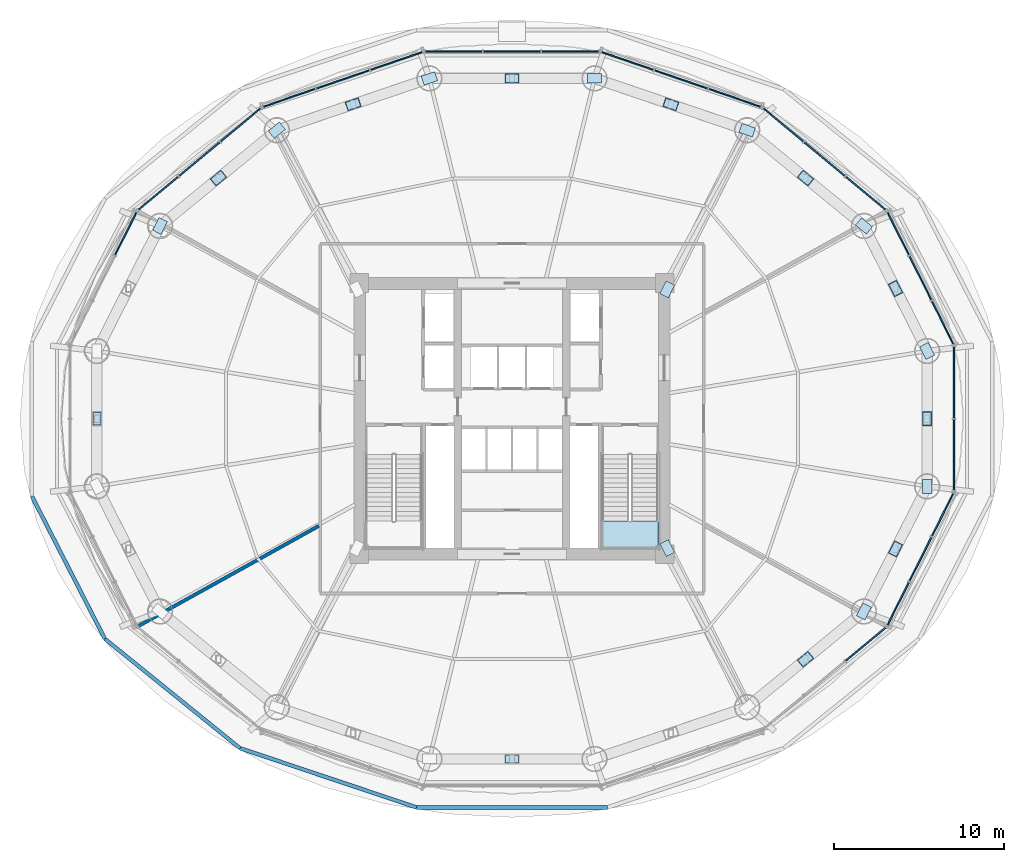
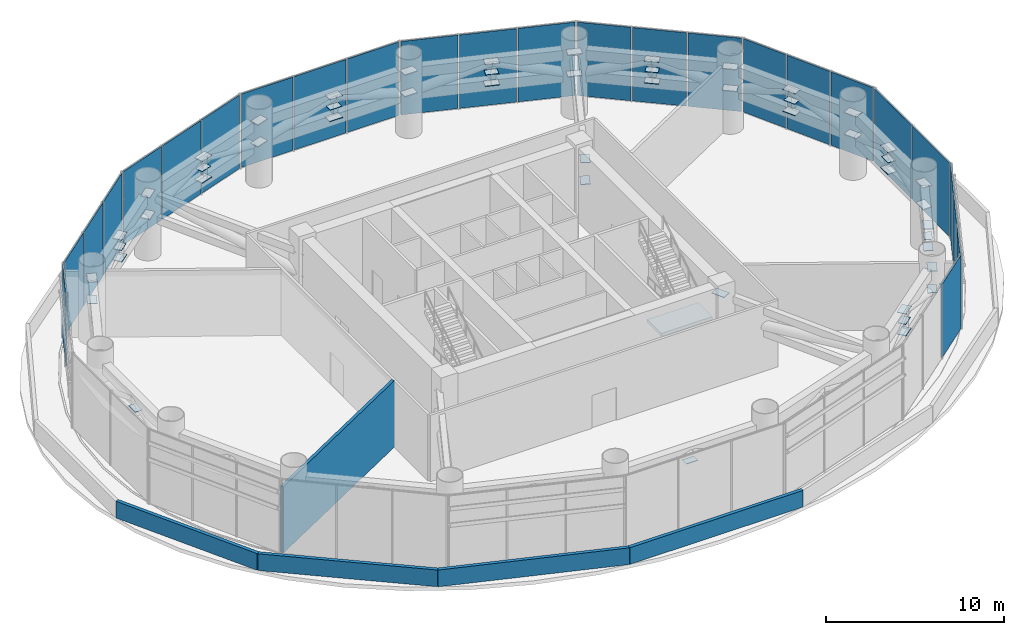
# One storey, part 27 of 33: 75 plates, 5 walls, 1 slab, 11 elements without a shape of their own.
"""IFC4 building model written with IfcOpenShell, lengths in metres."""

from ifc_helpers import new_model, si_unit, direction, frame, frame_2d, origin, origin_2d, place, context, subcontext, project, spatial, polyline, rectangle, outline, extrude, source, transform, mapped, material, layer, layer_set, type_object, element, aggregate, save


model = new_model("IFC4")

# Units and contexts
model_context = context("Model", 3, precision=1e-05, world=origin(), true_north=direction((-0.2419218956, 0.970295726276)))
body_context = subcontext(model_context, "Body", "Model", "MODEL_VIEW")
ifc_project = project(units=[si_unit("LENGTHUNIT", "METRE"), si_unit("AREAUNIT", "SQUARE_METRE"), si_unit("VOLUMEUNIT", "CUBIC_METRE"), si_unit("PLANEANGLEUNIT", "RADIAN"), si_unit("MASSUNIT", "GRAM", prefix="KILO")], contexts=[model_context])

# Site, building, storey
site_placement = place(None, origin())
site = spatial("IfcSite", under=ifc_project, at=site_placement, CompositionType="ELEMENT")
building_placement = place(site_placement, origin())
building = spatial("IfcBuilding", under=site, at=building_placement, Name="Cobrevalo Terracotta Tower", CompositionType="ELEMENT")
storey_placement = place(building_placement, frame((0.0, 0.0, 74.39990234375)))
storey = spatial("IfcBuildingStorey", under=building, at=storey_placement, Name="L19", CompositionType="ELEMENT", Elevation=74.39990234375)

# Stair, slab
ifc_material_1 = material(Name="Concrete C50", Category="concrete")
stair_type = type_object("IfcStairType", Name="Core protected escape dogleg stair 1600", PredefinedType="HALF_TURN_STAIR", material=ifc_material_1)
stair_placement = place(storey_placement, origin())
stair = element("IfcStair", 1, at=stair_placement, inside=storey, type_object=stair_type, Name="L19 Protected exit stair ST-2", PredefinedType="HALF_TURN_STAIR")
ifc_layer_1 = layer(ifc_material_1, 0.199951171875)
ifc_layer_set_1 = layer_set([ifc_layer_1], Name="Concrete C50")
slab_type = type_object("IfcSlabType", Name="Reinforced Concrete Stair Landing 200", PredefinedType="LANDING", material=ifc_layer_set_1)
slab_placement = place(storey_placement, frame((0.0, 0.0, 2.5)))
slab = element("IfcSlab", 2, at=slab_placement, type_object=slab_type, Name="ST-2 landing 1", PredefinedType="LANDING", context=body_context, shape_type="SweptSolid", body=[
    extrude(outline(polyline([(43.304931640625, 20.780029296875), (43.304931640625, 19.175048828125), (46.625, 19.175048828125), (46.625, 20.780029296875), (43.304931640625, 20.780029296875)])), origin(), (0.0, 0.0, 1.0), 0.2001953125),
])
aggregate(stair, [slab])

# Plates
ifc_material_2 = material(Name="Steel S355", Category="steel")
ifc_layer_2 = layer(ifc_material_2, 0.035888671875)
ifc_layer_set_2 = layer_set([ifc_layer_2], Name="Steel S355")
plate_type_1 = type_object("IfcPlateType", Name="Structural Cap Plate 840x560x36 (Steel S355)", PredefinedType="USERDEFINED", material=ifc_layer_set_2)
shared_shape_1 = source(origin(), body_context, "Body", "SweptSolid", [
    extrude(rectangle(XDim=0.840087890625, YDim=0.56005859375, at=origin_2d()), origin(), (0.0, 0.0, 1.0), 0.035888671875),
])
for number, where, z_axis, x_axis, name in (
    (3, (62.470703125, 30.78955078125, 2.63232421875), (0.0, 0.0, 1.0), (-0.45103643487, 0.892505537473, 0.0), "L19 hollow end cap plate CAP-BT-L19-01-B0"),
    (4, (62.470703125, 30.78955078125, 4.126953125), (0.0, 0.0, 1.0), (-0.45103643487, 0.892505537473, 0.0), "L19 hollow end cap plate CAP-BT-L19-01-T0"),
    (5, (60.60791015625, 34.4755859375, 2.63232421875), (0.0, 0.0, 1.0), (-0.45103643487, 0.892505537473, 0.0), "L19 hollow end cap plate CAP-BT-L19-01-BM"),
    (6, (60.60791015625, 34.4755859375, 4.126953125), (0.0, 0.0, 1.0), (-0.45103643487, 0.892505537473, 0.0), "L19 hollow end cap plate CAP-BT-L19-01-TM"),
    (7, (58.7451171875, 38.161376953125, 2.63232421875), (0.0, 0.0, 1.0), (-0.773404476279, 0.633912861576, 0.0), "L19 hollow end cap plate CAP-BT-L19-02-B0"),
    (8, (58.7451171875, 38.161376953125, 4.126953125), (0.0, 0.0, 1.0), (-0.773404476279, 0.633912861576, 0.0), "L19 hollow end cap plate CAP-BT-L19-02-T0"),
    (9, (55.30322265625, 40.982421875, 2.63232421875), (0.0, 0.0, 1.0), (-0.773404476279, 0.633912861576, 0.0), "L19 hollow end cap plate CAP-BT-L19-02-BM"),
    (10, (55.30322265625, 40.982421875, 4.126953125), (0.0, 0.0, 1.0), (-0.773404476279, 0.633912861576, 0.0), "L19 hollow end cap plate CAP-BT-L19-02-TM"),
    (11, (51.861572265625, 43.803466796875, 2.63232421875), (0.0, 0.0, 1.0), (-0.94691554206, 0.321482435298, 0.0), "L19 hollow end cap plate CAP-BT-L19-03-B0"),
    (12, (51.861572265625, 43.803466796875, 4.126953125), (0.0, 0.0, 1.0), (-0.94691554206, 0.321482435298, 0.0), "L19 hollow end cap plate CAP-BT-L19-03-T0"),
    (13, (47.364501953125, 45.330322265625, 2.63232421875), (0.0, 0.0, 1.0), (-0.94691554206, 0.321482435298, 0.0), "L19 hollow end cap plate CAP-BT-L19-03-BM"),
    (14, (47.364501953125, 45.330322265625, 4.126953125), (0.0, 0.0, 1.0), (-0.94691554206, 0.321482435298, 0.0), "L19 hollow end cap plate CAP-BT-L19-03-TM"),
    (15, (42.867431640625, 46.857177734375, 2.63232421875), (0.0, 0.0, 1.0), (-1.0, 0.0, 0.0), "L19 hollow end cap plate CAP-BT-L19-04-B0"),
    (16, (42.867431640625, 46.857177734375, 4.126953125), (0.0, 0.0, 1.0), (-1.0, 0.0, 0.0), "L19 hollow end cap plate CAP-BT-L19-04-T0"),
    (17, (38.0, 46.857177734375, 2.63232421875), (0.0, 0.0, 1.0), (-1.0, 0.0, 0.0), "L19 hollow end cap plate CAP-BT-L19-04-BM"),
    (18, (38.0, 46.857177734375, 4.126953125), (0.0, 0.0, 1.0), (-1.0, 0.0, 0.0), "L19 hollow end cap plate CAP-BT-L19-04-TM"),
    (19, (33.132568359375, 46.857177734375, 2.63232421875), (0.0, 0.0, 1.0), (-0.94691554206, -0.321482435298, 0.0), "L19 hollow end cap plate CAP-BT-L19-05-B0"),
    (20, (33.132568359375, 46.857177734375, 4.126953125), (0.0, 0.0, 1.0), (-0.94691554206, -0.321482435298, 0.0), "L19 hollow end cap plate CAP-BT-L19-05-T0"),
    (21, (28.635498046875, 45.330322265625, 2.63232421875), (0.0, 0.0, 1.0), (-0.94691554206, -0.321482435298, 0.0), "L19 hollow end cap plate CAP-BT-L19-05-BM"),
    (22, (28.635498046875, 45.330322265625, 4.126953125), (0.0, 0.0, 1.0), (-0.94691554206, -0.321482435298, 0.0), "L19 hollow end cap plate CAP-BT-L19-05-TM"),
    (23, (24.138427734375, 43.803466796875, 2.63232421875), (0.0, 0.0, 1.0), (-0.773404476279, -0.633912861576, 0.0), "L19 hollow end cap plate CAP-BT-L19-06-B0"),
    (24, (24.138427734375, 43.803466796875, 4.126953125), (0.0, 0.0, 1.0), (-0.773404476279, -0.633912861576, 0.0), "L19 hollow end cap plate CAP-BT-L19-06-T0"),
    (25, (20.69677734375, 40.982421875, 2.63232421875), (0.0, 0.0, 1.0), (-0.773404476279, -0.633912861576, 0.0), "L19 hollow end cap plate CAP-BT-L19-06-BM"),
    (26, (20.69677734375, 40.982421875, 4.126953125), (0.0, 0.0, 1.0), (-0.773404476279, -0.633912861576, 0.0), "L19 hollow end cap plate CAP-BT-L19-06-TM"),
    (27, (17.2548828125, 38.161376953125, 2.63232421875), (0.0, 0.0, 1.0), (-0.45103643487, -0.892505537473, 0.0), "L19 hollow end cap plate CAP-BT-L19-07-B0"),
    (28, (17.2548828125, 38.161376953125, 4.126953125), (0.0, 0.0, 1.0), (-0.45103643487, -0.892505537473, 0.0), "L19 hollow end cap plate CAP-BT-L19-07-T0"),
    (29, (55.30322265625, 12.617431640625, 2.63232421875), (0.0, 0.0, 1.0), (0.773404476279, 0.633912861576, 0.0), "L19 hollow end cap plate CAP-BT-L19-14-BM"),
    (30, (55.30322265625, 12.617431640625, 4.126953125), (0.0, 0.0, 1.0), (0.773404476279, 0.633912861576, 0.0), "L19 hollow end cap plate CAP-BT-L19-14-TM"),
    (31, (58.7451171875, 15.4384765625, 2.63232421875), (0.0, 0.0, 1.0), (0.45103643487, 0.892505537473, 0.0), "L19 hollow end cap plate CAP-BT-L19-15-B0"),
    (32, (58.7451171875, 15.4384765625, 4.126953125), (0.0, 0.0, 1.0), (0.45103643487, 0.892505537473, 0.0), "L19 hollow end cap plate CAP-BT-L19-15-T0"),
    (33, (60.60791015625, 19.12451171875, 2.63232421875), (0.0, 0.0, 1.0), (0.45103643487, 0.892505537473, 0.0), "L19 hollow end cap plate CAP-BT-L19-15-BM"),
    (34, (60.60791015625, 19.12451171875, 4.126953125), (0.0, 0.0, 1.0), (0.45103643487, 0.892505537473, 0.0), "L19 hollow end cap plate CAP-BT-L19-15-TM"),
    (35, (62.470703125, 22.810302734375, 2.63232421875), (0.0, 0.0, 1.0), (0.0, 1.0, 0.0), "L19 hollow end cap plate CAP-BT-L19-16-B0"),
    (36, (62.470703125, 22.810302734375, 4.126953125), (0.0, 0.0, 1.0), (0.0, 1.0, 0.0), "L19 hollow end cap plate CAP-BT-L19-16-T0"),
    (37, (62.470703125, 26.800048828125, 2.63232421875), (0.0, 0.0, 1.0), (0.0, 1.0, 0.0), "L19 hollow end cap plate CAP-BT-L19-16-BM"),
    (38, (62.470703125, 26.800048828125, 4.126953125), (0.0, 0.0, 1.0), (0.0, 1.0, 0.0), "L19 hollow end cap plate CAP-BT-L19-16-TM"),
    (39, (47.14990234375, 34.425048828125, 2.63232421875), (0.0, 0.0, 1.0), (0.448904195769, 0.893579891795, 0.0), "L19 hollow end cap plate CAP-OR-L19-1-CB"),
    (40, (47.14990234375, 34.425048828125, 4.126953125), (0.0, 0.0, 1.0), (0.448904195769, 0.893579891795, 0.0), "L19 hollow end cap plate CAP-OR-L19-1-CT"),
    (41, (47.14990234375, 19.175048828125, 4.126953125), (0.0, 0.0, 1.0), (0.448904195769, -0.893579891795, 0.0), "L19 hollow end cap plate CAP-OR-L19-4-CT"),
):
    element("IfcPlate", number, at=place(storey_placement, frame(where, z_axis=z_axis, x_axis=x_axis)), inside=storey, type_object=plate_type_1, Name=name, ObjectType="CAP PLATE", PredefinedType="USERDEFINED", context=body_context, shape_type="MappedRepresentation", body=[
        mapped(shared_shape_1, transform((0.0, 0.0, 0.0), scale=1.0)),
    ])
ifc_layer_3 = layer(ifc_material_2, 0.031982421875)
ifc_layer_set_3 = layer_set([ifc_layer_3], Name="Steel S355")
plate_type_2 = type_object("IfcPlateType", Name="Structural Gusset Plate 750x480x32 (Steel S355)", PredefinedType="SHEET", material=ifc_layer_set_3)
shared_shape_2 = source(origin(), body_context, "Body", "SweptSolid", [
    extrude(rectangle(XDim=0.75, YDim=0.47998046875, at=origin_2d()), origin(), (0.0, 0.0, 1.0), 0.031982421875),
])
for number, where, z_axis, x_axis, name in (
    (42, (60.60791015625, 34.4755859375, 3.3818359375), (0.0, 0.0, 1.0), (-0.45103643487, 0.892505537473, 0.0), "L19 hollow end cap plate GUS-BT-L19-01"),
    (43, (55.30322265625, 40.982421875, 3.3818359375), (0.0, 0.0, 1.0), (-0.773404476279, 0.633912861576, 0.0), "L19 hollow end cap plate GUS-BT-L19-02"),
    (44, (47.364501953125, 45.330322265625, 3.3818359375), (0.0, 0.0, 1.0), (-0.94691554206, 0.321482435298, 0.0), "L19 hollow end cap plate GUS-BT-L19-03"),
    (45, (38.0, 46.857177734375, 3.3818359375), (0.0, 0.0, 1.0), (-1.0, 0.0, 0.0), "L19 hollow end cap plate GUS-BT-L19-04"),
    (46, (28.635498046875, 45.330322265625, 3.3818359375), (0.0, 0.0, 1.0), (-0.94691554206, -0.321482435298, 0.0), "L19 hollow end cap plate GUS-BT-L19-05"),
    (47, (20.69677734375, 40.982421875, 3.3818359375), (0.0, 0.0, 1.0), (-0.773404476279, -0.633912861576, 0.0), "L19 hollow end cap plate GUS-BT-L19-06"),
    (48, (13.529296875, 26.800048828125, 3.3818359375), (0.0, 0.0, 1.0), (0.0, -1.0, 0.0), "L19 hollow end cap plate GUS-BT-L19-08"),
    (49, (38.0, 6.742919921875, 3.3818359375), (0.0, 0.0, 1.0), (1.0, 0.0, 0.0), "L19 hollow end cap plate GUS-BT-L19-12"),
    (50, (55.30322265625, 12.617431640625, 3.3818359375), (0.0, 0.0, 1.0), (0.773404476279, 0.633912861576, 0.0), "L19 hollow end cap plate GUS-BT-L19-14"),
    (51, (60.60791015625, 19.12451171875, 3.3818359375), (0.0, 0.0, 1.0), (0.45103643487, 0.892505537473, 0.0), "L19 hollow end cap plate GUS-BT-L19-15"),
    (52, (62.470703125, 26.800048828125, 3.3818359375), (0.0, 0.0, 1.0), (0.0, 1.0, 0.0), "L19 hollow end cap plate GUS-BT-L19-16"),
):
    element("IfcPlate", number, at=place(storey_placement, frame(where, z_axis=z_axis, x_axis=x_axis)), inside=storey, type_object=plate_type_2, Name=name, PredefinedType="SHEET", context=body_context, shape_type="MappedRepresentation", body=[
        mapped(shared_shape_2, transform((0.0, 0.0, 0.0), scale=1.0)),
    ])

# Curtain wall, plates
ifc_material_3 = material(Name="Anodized aluminium", Category="aluminium")
curtain_wall_type = type_object("IfcCurtainWallType", Name="Belt-truss plant acoustic weather-louvre curtain wall CW-LV", PredefinedType="NOTDEFINED", material=ifc_material_3)
curtain_wall_1_placement = place(storey_placement, origin())
curtain_wall_1 = element("IfcCurtainWall", 53, at=curtain_wall_1_placement, inside=storey, type_object=curtain_wall_type, Name="L19 curtain wall CW-LV-L19-S01", PredefinedType="NOTDEFINED")
ifc_material_4 = material(Name="Anodized aluminium weather louvre", Category="aluminium")
ifc_layer_4 = layer(ifc_material_4, 0.0849609375)
ifc_layer_set_4 = layer_set([ifc_layer_4], Name="Anodized aluminium weather louvre")
plate_type_3 = type_object("IfcPlateType", Name="Plant room acoustic weather-louvre cassette 85 mm", PredefinedType="USERDEFINED", material=ifc_layer_set_4)
shared_shape_3 = source(origin(), body_context, "Body", "SweptSolid", [
    extrude(rectangle(XDim=2.843505859375, YDim=0.0849609375, at=origin_2d()), origin(), (0.0, 0.0, 1.0), 5.044921875),
])
plate_1_placement = place(storey_placement, frame((63.389404296875, 32.449462890625, 0.0400390625), z_axis=(0.0, 0.0, 1.0), x_axis=(-0.446261852127, 0.894902430065, 0.0)))
plate_1 = element("IfcPlate", 54, at=plate_1_placement, type_object=plate_type_3, Name="CW-LV-L19-S01 acoustic louvre panel B01", ObjectType="LOUVRE_PANEL", PredefinedType="USERDEFINED", context=body_context, shape_type="MappedRepresentation", body=[
    mapped(shared_shape_3, transform((0.0, 0.0, 0.0), scale=1.0)),
])
plate_2_placement = place(storey_placement, frame((60.76220703125, 37.717529296875, 0.0400390625), z_axis=(0.0, 0.0, 1.0), x_axis=(-0.446261852127, 0.894902430065, 0.0)))
plate_2 = element("IfcPlate", 55, at=plate_2_placement, type_object=plate_type_3, Name="CW-LV-L19-S01 acoustic louvre panel B03", ObjectType="LOUVRE_PANEL", PredefinedType="USERDEFINED", context=body_context, shape_type="MappedRepresentation", body=[
    mapped(shared_shape_3, transform((0.0, 0.0, 0.0), scale=1.0)),
])

# Curtain wall, plate
curtain_wall_2_placement = place(storey_placement, origin())
curtain_wall_2 = element("IfcCurtainWall", 56, at=curtain_wall_2_placement, inside=storey, type_object=curtain_wall_type, Name="L19 curtain wall CW-LV-L19-S07", PredefinedType="NOTDEFINED")
plate_3_placement = place(storey_placement, frame((15.23779296875, 37.717529296875, 0.0400390625), z_axis=(0.0, 0.0, 1.0), x_axis=(-0.446261852127, -0.894902430065, 0.0)))
plate_3 = element("IfcPlate", 57, at=plate_3_placement, type_object=plate_type_3, Name="CW-LV-L19-S07 acoustic louvre panel B01", ObjectType="LOUVRE_PANEL", PredefinedType="USERDEFINED", context=body_context, shape_type="MappedRepresentation", body=[
    mapped(shared_shape_3, transform((0.0, 0.0, 0.0), scale=1.0)),
])
aggregate(curtain_wall_2, [plate_3])

# Curtain wall, plates
curtain_wall_3_placement = place(storey_placement, origin())
curtain_wall_3 = element("IfcCurtainWall", 58, at=curtain_wall_3_placement, inside=storey, type_object=curtain_wall_type, Name="L19 curtain wall CW-LV-L19-S15", PredefinedType="NOTDEFINED")
plate_4_placement = place(storey_placement, frame((60.76220703125, 15.88232421875, 0.0400390625), z_axis=(0.0, 0.0, 1.0), x_axis=(0.446261852127, 0.894902430065, 0.0)))
plate_4 = element("IfcPlate", 59, at=plate_4_placement, type_object=plate_type_3, Name="CW-LV-L19-S15 acoustic louvre panel B01", ObjectType="LOUVRE_PANEL", PredefinedType="USERDEFINED", context=body_context, shape_type="MappedRepresentation", body=[
    mapped(shared_shape_3, transform((0.0, 0.0, 0.0), scale=1.0)),
])
plate_5_placement = place(storey_placement, frame((63.389404296875, 21.150390625, 0.0400390625), z_axis=(0.0, 0.0, 1.0), x_axis=(0.446261852127, 0.894902430065, 0.0)))
plate_5 = element("IfcPlate", 60, at=plate_5_placement, type_object=plate_type_3, Name="CW-LV-L19-S15 acoustic louvre panel B03", ObjectType="LOUVRE_PANEL", PredefinedType="USERDEFINED", context=body_context, shape_type="MappedRepresentation", body=[
    mapped(shared_shape_3, transform((0.0, 0.0, 0.0), scale=1.0)),
])

# Plate
shared_shape_4 = source(origin(), body_context, "Body", "SweptSolid", [
    extrude(rectangle(XDim=2.88330078125, YDim=0.0849609375, at=origin_2d()), origin(), (0.0, 0.0, 1.0), 5.044921875),
])
plate_6_placement = place(storey_placement, frame((62.075927734375, 35.08349609375, 0.0400390625), z_axis=(0.0, 0.0, 1.0), x_axis=(-0.446261852127, 0.894902430065, 0.0)))
plate_6 = element("IfcPlate", 61, at=plate_6_placement, type_object=plate_type_3, Name="CW-LV-L19-S01 acoustic louvre panel B02", ObjectType="LOUVRE_PANEL", PredefinedType="USERDEFINED", context=body_context, shape_type="MappedRepresentation", body=[
    mapped(shared_shape_4, transform((0.0, 0.0, 0.0), scale=1.0)),
])

aggregate(curtain_wall_1, [plate_1, plate_6, plate_2])

plate_7_placement = place(storey_placement, frame((62.075927734375, 18.516357421875, 0.0400390625), z_axis=(0.0, 0.0, 1.0), x_axis=(0.446261852127, 0.894902430065, 0.0)))
plate_7 = element("IfcPlate", 62, at=plate_7_placement, type_object=plate_type_3, Name="CW-LV-L19-S15 acoustic louvre panel B02", ObjectType="LOUVRE_PANEL", PredefinedType="USERDEFINED", context=body_context, shape_type="MappedRepresentation", body=[
    mapped(shared_shape_4, transform((0.0, 0.0, 0.0), scale=1.0)),
])

aggregate(curtain_wall_3, [plate_4, plate_7, plate_5])

# Curtain wall, plates
curtain_wall_4_placement = place(storey_placement, origin())
curtain_wall_4 = element("IfcCurtainWall", 63, at=curtain_wall_4_placement, inside=storey, type_object=curtain_wall_type, Name="L19 curtain wall CW-LV-L19-S02", PredefinedType="NOTDEFINED")
shared_shape_5 = source(origin(), body_context, "Body", "SweptSolid", [
    extrude(rectangle(XDim=3.056640625, YDim=0.0849609375, at=origin_2d()), origin(), (0.0, 0.0, 1.0), 5.044921875),
])
plate_8_placement = place(storey_placement, frame((58.85498046875, 40.089111328125, 0.0400390625), z_axis=(0.0, 0.0, 1.0), x_axis=(-0.769241221277, 0.638958483384, 0.0)))
plate_8 = element("IfcPlate", 64, at=plate_8_placement, type_object=plate_type_3, Name="CW-LV-L19-S02 acoustic louvre panel B01", ObjectType="LOUVRE_PANEL", PredefinedType="USERDEFINED", context=body_context, shape_type="MappedRepresentation", body=[
    mapped(shared_shape_5, transform((0.0, 0.0, 0.0), scale=1.0)),
])
plate_9_placement = place(storey_placement, frame((53.998779296875, 44.122802734375, 0.0400390625), z_axis=(0.0, 0.0, 1.0), x_axis=(-0.769241221277, 0.638958483384, 0.0)))
plate_9 = element("IfcPlate", 65, at=plate_9_placement, type_object=plate_type_3, Name="CW-LV-L19-S02 acoustic louvre panel B03", ObjectType="LOUVRE_PANEL", PredefinedType="USERDEFINED", context=body_context, shape_type="MappedRepresentation", body=[
    mapped(shared_shape_5, transform((0.0, 0.0, 0.0), scale=1.0)),
])

curtain_wall_5_placement = place(storey_placement, origin())
curtain_wall_5 = element("IfcCurtainWall", 66, at=curtain_wall_5_placement, inside=storey, type_object=curtain_wall_type, Name="L19 curtain wall CW-LV-L19-S06", PredefinedType="NOTDEFINED")
plate_10_placement = place(storey_placement, frame((22.001220703125, 44.122802734375, 0.0400390625), z_axis=(0.0, 0.0, 1.0), x_axis=(-0.769241221277, -0.638958483384, 0.0)))
plate_10 = element("IfcPlate", 67, at=plate_10_placement, type_object=plate_type_3, Name="CW-LV-L19-S06 acoustic louvre panel B01", ObjectType="LOUVRE_PANEL", PredefinedType="USERDEFINED", context=body_context, shape_type="MappedRepresentation", body=[
    mapped(shared_shape_5, transform((0.0, 0.0, 0.0), scale=1.0)),
])
plate_11_placement = place(storey_placement, frame((17.14501953125, 40.089111328125, 0.0400390625), z_axis=(0.0, 0.0, 1.0), x_axis=(-0.769241221277, -0.638958483384, 0.0)))
plate_11 = element("IfcPlate", 68, at=plate_11_placement, type_object=plate_type_3, Name="CW-LV-L19-S06 acoustic louvre panel B03", ObjectType="LOUVRE_PANEL", PredefinedType="USERDEFINED", context=body_context, shape_type="MappedRepresentation", body=[
    mapped(shared_shape_5, transform((0.0, 0.0, 0.0), scale=1.0)),
])

# Curtain wall, plate
curtain_wall_6_placement = place(storey_placement, origin())
curtain_wall_6 = element("IfcCurtainWall", 69, at=curtain_wall_6_placement, inside=storey, type_object=curtain_wall_type, Name="L19 curtain wall CW-LV-L19-S14", PredefinedType="NOTDEFINED")
plate_12_placement = place(storey_placement, frame((58.85498046875, 13.510986328125, 0.0400390625), z_axis=(0.0, 0.0, 1.0), x_axis=(0.769241221277, 0.638958483384, 0.0)))
plate_12 = element("IfcPlate", 70, at=plate_12_placement, type_object=plate_type_3, Name="CW-LV-L19-S14 acoustic louvre panel B03", ObjectType="LOUVRE_PANEL", PredefinedType="USERDEFINED", context=body_context, shape_type="MappedRepresentation", body=[
    mapped(shared_shape_5, transform((0.0, 0.0, 0.0), scale=1.0)),
])
aggregate(curtain_wall_6, [plate_12])

# Plate
shared_shape_6 = source(origin(), body_context, "Body", "SweptSolid", [
    extrude(rectangle(XDim=3.0966796875, YDim=0.0849609375, at=origin_2d()), origin(), (0.0, 0.0, 1.0), 5.044921875),
])
plate_13_placement = place(storey_placement, frame((56.4267578125, 42.10595703125, 0.0400390625), z_axis=(0.0, 0.0, 1.0), x_axis=(-0.769241221277, 0.638958483384, 0.0)))
plate_13 = element("IfcPlate", 71, at=plate_13_placement, type_object=plate_type_3, Name="CW-LV-L19-S02 acoustic louvre panel B02", ObjectType="LOUVRE_PANEL", PredefinedType="USERDEFINED", context=body_context, shape_type="MappedRepresentation", body=[
    mapped(shared_shape_6, transform((0.0, 0.0, 0.0), scale=1.0)),
])

aggregate(curtain_wall_4, [plate_8, plate_13, plate_9])

plate_14_placement = place(storey_placement, frame((19.5732421875, 42.10595703125, 0.0400390625), z_axis=(0.0, 0.0, 1.0), x_axis=(-0.769241221277, -0.638958483384, 0.0)))
plate_14 = element("IfcPlate", 72, at=plate_14_placement, type_object=plate_type_3, Name="CW-LV-L19-S06 acoustic louvre panel B02", ObjectType="LOUVRE_PANEL", PredefinedType="USERDEFINED", context=body_context, shape_type="MappedRepresentation", body=[
    mapped(shared_shape_6, transform((0.0, 0.0, 0.0), scale=1.0)),
])

aggregate(curtain_wall_5, [plate_10, plate_14, plate_11])

# Curtain wall, plates
curtain_wall_7_placement = place(storey_placement, origin())
curtain_wall_7 = element("IfcCurtainWall", 73, at=curtain_wall_7_placement, inside=storey, type_object=curtain_wall_type, Name="L19 curtain wall CW-LV-L19-S03", PredefinedType="NOTDEFINED")
shared_shape_7 = source(origin(), body_context, "Body", "SweptSolid", [
    extrude(rectangle(XDim=3.25634765625, YDim=0.0849609375, at=origin_2d()), origin(), (0.0, 0.0, 1.0), 5.044921875),
])
plate_15_placement = place(storey_placement, frame((51.146240234375, 45.706298828125, 0.0400390625), z_axis=(0.0, 0.0, 1.0), x_axis=(-0.945596395206, 0.325342062104, 0.0)))
plate_15 = element("IfcPlate", 74, at=plate_15_placement, type_object=plate_type_3, Name="CW-LV-L19-S03 acoustic louvre panel B01", ObjectType="LOUVRE_PANEL", PredefinedType="USERDEFINED", context=body_context, shape_type="MappedRepresentation", body=[
    mapped(shared_shape_7, transform((0.0, 0.0, 0.0), scale=1.0)),
])
plate_16_placement = place(storey_placement, frame((44.798828125, 47.89013671875, 0.0400390625), z_axis=(0.0, 0.0, 1.0), x_axis=(-0.945596395206, 0.325342062104, 0.0)))
plate_16 = element("IfcPlate", 75, at=plate_16_placement, type_object=plate_type_3, Name="CW-LV-L19-S03 acoustic louvre panel B03", ObjectType="LOUVRE_PANEL", PredefinedType="USERDEFINED", context=body_context, shape_type="MappedRepresentation", body=[
    mapped(shared_shape_7, transform((0.0, 0.0, 0.0), scale=1.0)),
])

curtain_wall_8_placement = place(storey_placement, origin())
curtain_wall_8 = element("IfcCurtainWall", 76, at=curtain_wall_8_placement, inside=storey, type_object=curtain_wall_type, Name="L19 curtain wall CW-LV-L19-S05", PredefinedType="NOTDEFINED")
plate_17_placement = place(storey_placement, frame((31.201171875, 47.89013671875, 0.0400390625), z_axis=(0.0, 0.0, 1.0), x_axis=(-0.945596395206, -0.325342062104, 0.0)))
plate_17 = element("IfcPlate", 77, at=plate_17_placement, type_object=plate_type_3, Name="CW-LV-L19-S05 acoustic louvre panel B01", ObjectType="LOUVRE_PANEL", PredefinedType="USERDEFINED", context=body_context, shape_type="MappedRepresentation", body=[
    mapped(shared_shape_7, transform((0.0, 0.0, 0.0), scale=1.0)),
])
plate_18_placement = place(storey_placement, frame((24.853759765625, 45.706298828125, 0.0400390625), z_axis=(0.0, 0.0, 1.0), x_axis=(-0.945596395206, -0.325342062104, 0.0)))
plate_18 = element("IfcPlate", 78, at=plate_18_placement, type_object=plate_type_3, Name="CW-LV-L19-S05 acoustic louvre panel B03", ObjectType="LOUVRE_PANEL", PredefinedType="USERDEFINED", context=body_context, shape_type="MappedRepresentation", body=[
    mapped(shared_shape_7, transform((0.0, 0.0, 0.0), scale=1.0)),
])

# Plate
shared_shape_8 = source(origin(), body_context, "Body", "SweptSolid", [
    extrude(rectangle(XDim=3.29638671875, YDim=0.0849609375, at=origin_2d()), origin(), (0.0, 0.0, 1.0), 5.044921875),
])
plate_19_placement = place(storey_placement, frame((47.972412109375, 46.79833984375, 0.0400390625), z_axis=(0.0, 0.0, 1.0), x_axis=(-0.945596395206, 0.325342062104, 0.0)))
plate_19 = element("IfcPlate", 79, at=plate_19_placement, type_object=plate_type_3, Name="CW-LV-L19-S03 acoustic louvre panel B02", ObjectType="LOUVRE_PANEL", PredefinedType="USERDEFINED", context=body_context, shape_type="MappedRepresentation", body=[
    mapped(shared_shape_8, transform((0.0, 0.0, 0.0), scale=1.0)),
])

aggregate(curtain_wall_7, [plate_15, plate_19, plate_16])

plate_20_placement = place(storey_placement, frame((28.027587890625, 46.79833984375, 0.0400390625), z_axis=(0.0, 0.0, 1.0), x_axis=(-0.945596395206, -0.325342062104, 0.0)))
plate_20 = element("IfcPlate", 80, at=plate_20_placement, type_object=plate_type_3, Name="CW-LV-L19-S05 acoustic louvre panel B02", ObjectType="LOUVRE_PANEL", PredefinedType="USERDEFINED", context=body_context, shape_type="MappedRepresentation", body=[
    mapped(shared_shape_8, transform((0.0, 0.0, 0.0), scale=1.0)),
])

aggregate(curtain_wall_8, [plate_17, plate_20, plate_18])

# Curtain wall, plates
curtain_wall_9_placement = place(storey_placement, origin())
curtain_wall_9 = element("IfcCurtainWall", 81, at=curtain_wall_9_placement, inside=storey, type_object=curtain_wall_type, Name="L19 curtain wall CW-LV-L19-S04", PredefinedType="NOTDEFINED")
shared_shape_9 = source(origin(), body_context, "Body", "SweptSolid", [
    extrude(rectangle(XDim=3.335693359375, YDim=0.0849609375, at=origin_2d()), origin(), (0.0, 0.0, 1.0), 5.044921875),
])
plate_21_placement = place(storey_placement, frame((41.435791015625, 48.446044921875, 0.0400390625), z_axis=(0.0, 0.0, 1.0), x_axis=(-1.0, 0.0, 0.0)))
plate_21 = element("IfcPlate", 82, at=plate_21_placement, type_object=plate_type_3, Name="CW-LV-L19-S04 acoustic louvre panel B01", ObjectType="LOUVRE_PANEL", PredefinedType="USERDEFINED", context=body_context, shape_type="MappedRepresentation", body=[
    mapped(shared_shape_9, transform((0.0, 0.0, 0.0), scale=1.0)),
])
plate_22_placement = place(storey_placement, frame((34.564208984375, 48.446044921875, 0.0400390625), z_axis=(0.0, 0.0, 1.0), x_axis=(-1.0, 0.0, 0.0)))
plate_22 = element("IfcPlate", 83, at=plate_22_placement, type_object=plate_type_3, Name="CW-LV-L19-S04 acoustic louvre panel B03", ObjectType="LOUVRE_PANEL", PredefinedType="USERDEFINED", context=body_context, shape_type="MappedRepresentation", body=[
    mapped(shared_shape_9, transform((0.0, 0.0, 0.0), scale=1.0)),
])
shared_shape_10 = source(origin(), body_context, "Body", "SweptSolid", [
    extrude(rectangle(XDim=3.375732421875, YDim=0.0849609375, at=origin_2d()), origin(), (0.0, 0.0, 1.0), 5.044921875),
])
plate_23_placement = place(storey_placement, frame((38.0, 48.446044921875, 0.0400390625), z_axis=(0.0, 0.0, 1.0), x_axis=(-1.0, 0.0, 0.0)))
plate_23 = element("IfcPlate", 84, at=plate_23_placement, type_object=plate_type_3, Name="CW-LV-L19-S04 acoustic louvre panel B02", ObjectType="LOUVRE_PANEL", PredefinedType="USERDEFINED", context=body_context, shape_type="MappedRepresentation", body=[
    mapped(shared_shape_10, transform((0.0, 0.0, 0.0), scale=1.0)),
])
aggregate(curtain_wall_9, [plate_21, plate_23, plate_22])

curtain_wall_10_placement = place(storey_placement, origin())
curtain_wall_10 = element("IfcCurtainWall", 85, at=curtain_wall_10_placement, inside=storey, type_object=curtain_wall_type, Name="L19 curtain wall CW-LV-L19-S16", PredefinedType="NOTDEFINED")
shared_shape_11 = source(origin(), body_context, "Body", "SweptSolid", [
    extrude(rectangle(XDim=4.185546875, YDim=0.0849609375, at=origin_2d()), origin(), (0.0, 0.0, 1.0), 5.044921875),
])
plate_24_placement = place(storey_placement, frame((64.0595703125, 24.667236328125, 0.0400390625), z_axis=(0.0, 0.0, 1.0), x_axis=(0.0, 1.0, 0.0)))
plate_24 = element("IfcPlate", 86, at=plate_24_placement, type_object=plate_type_3, Name="CW-LV-L19-S16 acoustic louvre panel B01", ObjectType="LOUVRE_PANEL", PredefinedType="USERDEFINED", context=body_context, shape_type="MappedRepresentation", body=[
    mapped(shared_shape_11, transform((0.0, 0.0, 0.0), scale=1.0)),
])
plate_25_placement = place(storey_placement, frame((64.0595703125, 28.932861328125, 0.0400390625), z_axis=(0.0, 0.0, 1.0), x_axis=(0.0, 1.0, 0.0)))
plate_25 = element("IfcPlate", 87, at=plate_25_placement, type_object=plate_type_3, Name="CW-LV-L19-S16 acoustic louvre panel B02", ObjectType="LOUVRE_PANEL", PredefinedType="USERDEFINED", context=body_context, shape_type="MappedRepresentation", body=[
    mapped(shared_shape_11, transform((0.0, 0.0, 0.0), scale=1.0)),
])
aggregate(curtain_wall_10, [plate_24, plate_25])

# Walls
ifc_material_5 = material(Name="Autoclaved aerated concrete block", Category="concrete")
ifc_layer_5 = layer(ifc_material_5, 0.199951171875)
ifc_layer_set_5 = layer_set([ifc_layer_5], Name="Autoclaved aerated concrete block")
wall_type_1 = type_object("IfcWallType", Name="Fire-rated stair, shaft & demising masonry wall 200 mm", PredefinedType="PARTITIONING", material=ifc_layer_set_5)
wall_1_placement = place(storey_placement, frame((26.614990234375, 20.479736328125, 0.0), z_axis=(0.0, 0.0, 1.0), x_axis=(-0.87431374927, -0.485361172569, 0.0)))
element("IfcWall", 88, at=wall_1_placement, inside=storey, type_object=wall_type_1, Name="L19 interior partition IW-L19-PW2", PredefinedType="PARTITIONING", context=body_context, shape_type="SweptSolid", body=[
    extrude(rectangle(XDim=12.14013671875, YDim=0.199951171875, at=frame_2d((6.070068359375, 0.0))), origin(), (0.0, 0.0, 1.0), 4.567138671875),
])
ifc_material_6 = material(Name="Precast concrete C45", Category="concrete")
ifc_layer_6 = layer(ifc_material_6, 0.219970703125)
ifc_layer_set_6 = layer_set([ifc_layer_6], Name="Precast concrete C45")
wall_type_2 = type_object("IfcWallType", Name="Precast concrete roof and setback terrace parapet wall 220 mm", PredefinedType="PARAPET", material=ifc_layer_set_6)
wall_2_placement = place(storey_placement, frame((9.694580078125, 22.24267578125, 0.0), z_axis=(0.0, 0.0, 1.0), x_axis=(0.455556194499, -0.890207028535, 0.0)))
element("IfcWall", 89, at=wall_2_placement, inside=storey, type_object=wall_type_2, Name="L19 setback roof concrete parapet 09", PredefinedType="PARAPET", context=body_context, shape_type="SweptSolid", body=[
    extrude(rectangle(XDim=9.45947265625, YDim=0.219970703125, at=frame_2d((4.729736328125, 0.0))), origin(), (0.0, 0.0, 1.0), 1.150146484375),
])
wall_3_placement = place(storey_placement, frame((14.00390625, 13.82177734375, 0.0), z_axis=(0.0, 0.0, 1.0), x_axis=(0.777289269967, -0.629143378567, 0.0)))
element("IfcWall", 90, at=wall_3_placement, inside=storey, type_object=wall_type_2, Name="L19 setback roof concrete parapet 10", PredefinedType="PARAPET", context=body_context, shape_type="SweptSolid", body=[
    extrude(rectangle(XDim=10.243896484375, YDim=0.219970703125, at=frame_2d((5.1220703125, 0.0))), origin(), (0.0, 0.0, 1.0), 1.150146484375),
])
wall_4_placement = place(storey_placement, frame((21.96630859375, 7.376953125, 0.0), z_axis=(0.0, 0.0, 1.0), x_axis=(0.948127810737, -0.317889374636, 0.0)))
element("IfcWall", 91, at=wall_4_placement, inside=storey, type_object=wall_type_2, Name="L19 setback roof concrete parapet 11", PredefinedType="PARAPET", context=body_context, shape_type="SweptSolid", body=[
    extrude(rectangle(XDim=10.972412109375, YDim=0.219970703125, at=frame_2d((5.486328125, 0.0))), origin(), (0.0, 0.0, 1.0), 1.150146484375),
])
wall_5_placement = place(storey_placement, frame((32.36962890625, 3.888916015625, 0.0), z_axis=(0.0, 0.0, 1.0), x_axis=(1.0, 0.0, 0.0)))
element("IfcWall", 92, at=wall_5_placement, inside=storey, type_object=wall_type_2, Name="L19 setback roof concrete parapet 12", PredefinedType="PARAPET", context=body_context, shape_type="SweptSolid", body=[
    extrude(rectangle(XDim=11.2607421875, YDim=0.219970703125, at=frame_2d((5.63037109375, 0.0))), origin(), (0.0, 0.0, 1.0), 1.150146484375),
])

save(model, "model.ifc")
